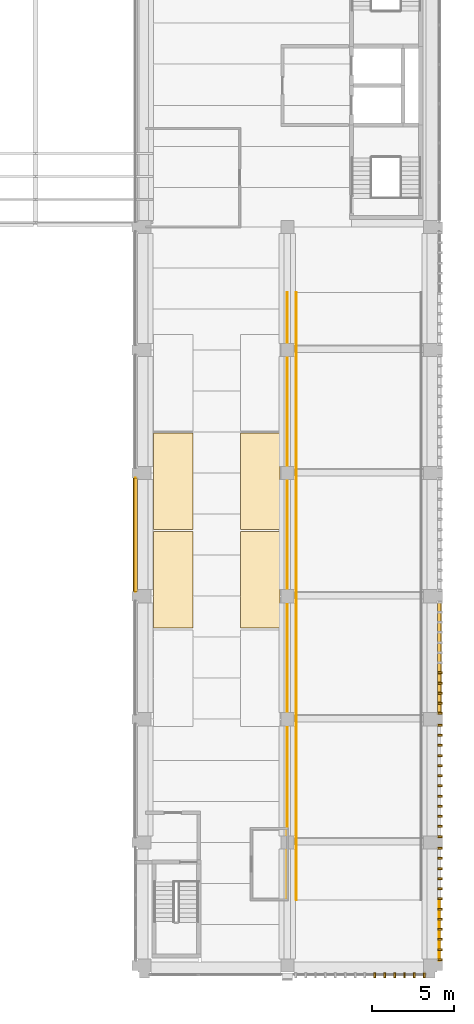
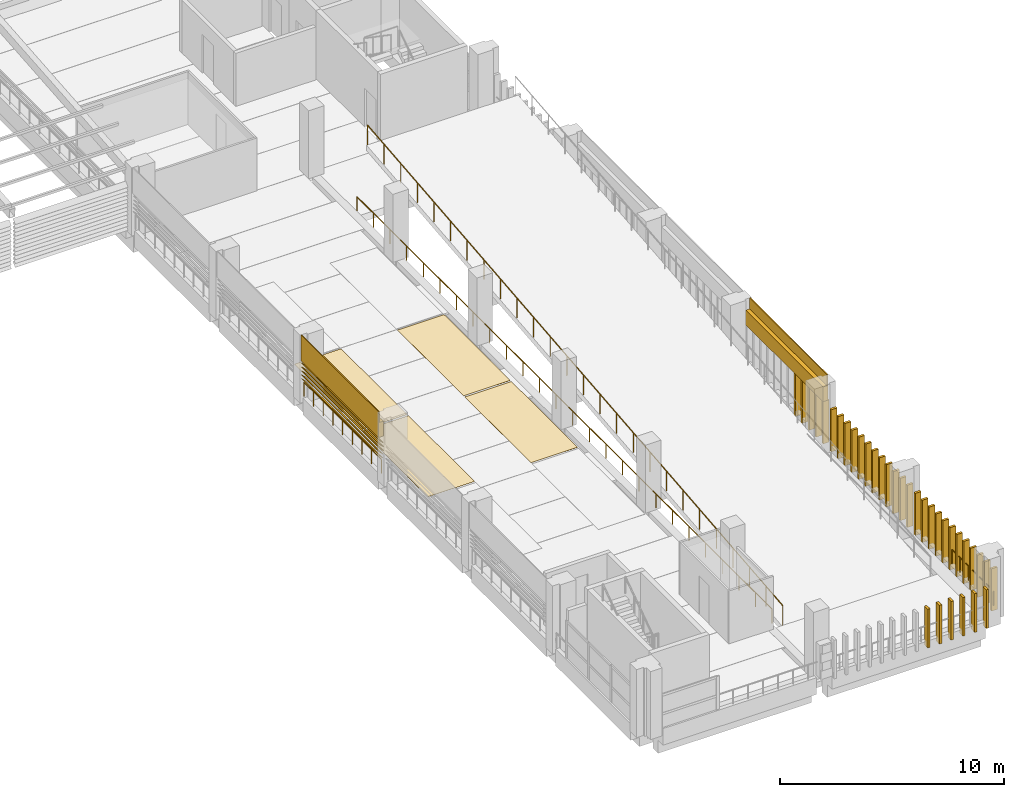
# One storey, part 47 of 52: 41 coverings, 5 shading devices, 4 railings.
"""IFC4 building model written with IfcOpenShell, lengths in metres."""

from ifc_helpers import new_model, si_unit, direction, frame, origin, origin_2d, place, context, subcontext, project, spatial, polyline, circle, outline, extrude, material, layer, layer_set, type_object, element, save


model = new_model("IFC4")

# Units and contexts
model_context = context("Model", 3, precision=1e-05, world=origin(), true_north=direction((0.0, 1.0)))
body_context = subcontext(model_context, "Body", "Model", "MODEL_VIEW")
ifc_project = project(units=[si_unit("LENGTHUNIT", "METRE"), si_unit("AREAUNIT", "SQUARE_METRE"), si_unit("VOLUMEUNIT", "CUBIC_METRE"), si_unit("PLANEANGLEUNIT", "RADIAN"), si_unit("MASSUNIT", "GRAM", prefix="KILO")], contexts=[model_context])

# Site, building, storey
site_placement = place(None, origin())
site = spatial("IfcSite", under=ifc_project, at=site_placement, CompositionType="ELEMENT")
building_placement = place(site_placement, origin())
building = spatial("IfcBuilding", under=site, at=building_placement, Name="Cour d'Honneur Mobility Palace", CompositionType="ELEMENT")
storey_placement = place(building_placement, frame((0.0, 0.0, 23.0)))
storey = spatial("IfcBuildingStorey", under=building, at=storey_placement, Name="L06", CompositionType="ELEMENT", Elevation=23.0)

# Railings
ifc_material_1 = material(Name="Painted steel", Category="steel")
railing_type_1 = type_object("IfcRailingType", Name="Balustrade", PredefinedType="BALUSTRADE", material=ifc_material_1)
railing_1_placement = place(storey_placement, frame((162.85009765625, 0.300048828125, 0.300048828125)))
element("IfcRailing", 1, at=railing_1_placement, inside=storey, type_object=railing_type_1, Name="Balustrade BAL-352", PredefinedType="BALUSTRADE", context=body_context, shape_type="SweptSolid", body=[
    extrude(circle(Radius=0.02392578125, at=origin_2d()), frame((0.0, 0.0, 0.77587890625), z_axis=(0.0, 1.0, 0.0), x_axis=(-1.0, 0.0, 0.0)), (0.0, 0.0, 1.0), 3.699951171875),
    extrude(circle(Radius=0.02099609375, at=origin_2d()), origin(), (0.0, 0.0, 1.0), 0.751953125),
    extrude(circle(Radius=0.02099609375, at=origin_2d()), frame((0.0, 0.739990234375, 0.0)), (0.0, 0.0, 1.0), 0.751953125),
    extrude(circle(Radius=0.02099609375, at=origin_2d()), frame((0.0, 1.47998046875, 0.0)), (0.0, 0.0, 1.0), 0.751953125),
    extrude(circle(Radius=0.02099609375, at=origin_2d()), frame((0.0, 2.219970703125, 0.0)), (0.0, 0.0, 1.0), 0.751953125),
    extrude(circle(Radius=0.02099609375, at=origin_2d()), frame((0.0, 2.9599609375, 0.0)), (0.0, 0.0, 1.0), 0.751953125),
    extrude(circle(Radius=0.02099609375, at=origin_2d()), frame((0.0, 3.699951171875, 0.0)), (0.0, 0.0, 1.0), 0.751953125),
])
railing_2_placement = place(storey_placement, frame((144.35009765625, 29.699951171875, 0.300048828125)))
element("IfcRailing", 2, at=railing_2_placement, inside=storey, type_object=railing_type_1, Name="Balustrade BAL-358", PredefinedType="BALUSTRADE", context=body_context, shape_type="SweptSolid", body=[
    extrude(circle(Radius=0.02392578125, at=origin_2d()), frame((0.0, 0.0, 0.77587890625), z_axis=(0.0, -1.0, 0.0), x_axis=(1.0, 0.0, 0.0)), (0.0, 0.0, 1.0), 6.89990234375),
    extrude(circle(Radius=0.02099609375, at=origin_2d()), origin(), (0.0, 0.0, 1.0), 0.751953125),
    extrude(circle(Radius=0.02099609375, at=origin_2d()), frame((0.0, -0.862548828125, 0.0)), (0.0, 0.0, 1.0), 0.751953125),
    extrude(circle(Radius=0.02099609375, at=origin_2d()), frame((0.0, -1.72509765625, 0.0)), (0.0, 0.0, 1.0), 0.751953125),
    extrude(circle(Radius=0.02099609375, at=origin_2d()), frame((0.0, -2.58740234375, 0.0)), (0.0, 0.0, 1.0), 0.751953125),
    extrude(circle(Radius=0.02099609375, at=origin_2d()), frame((0.0, -3.449951171875, 0.0)), (0.0, 0.0, 1.0), 0.751953125),
    extrude(circle(Radius=0.02099609375, at=origin_2d()), frame((0.0, -4.3125, 0.0)), (0.0, 0.0, 1.0), 0.751953125),
    extrude(circle(Radius=0.02099609375, at=origin_2d()), frame((0.0, -5.1748046875, 0.0)), (0.0, 0.0, 1.0), 0.751953125),
    extrude(circle(Radius=0.02099609375, at=origin_2d()), frame((0.0, -6.037353515625, 0.0)), (0.0, 0.0, 1.0), 0.751953125),
    extrude(circle(Radius=0.02099609375, at=origin_2d()), frame((0.0, -6.89990234375, 0.0)), (0.0, 0.0, 1.0), 0.751953125),
])

# Coverings
ifc_material_2 = material(Name="Parking marking paint")
ifc_layer_1 = layer(ifc_material_2, 0.0048828125)
ifc_layer_set_1 = layer_set([ifc_layer_1], Name="Parking marking paint")
covering_type_1 = type_object("IfcCoveringType", Name="Parking bay marking", PredefinedType="FLOORING", material=ifc_layer_set_1)
covering_1_placement = place(storey_placement, origin())
element("IfcCovering", 3, at=covering_1_placement, inside=storey, type_object=covering_type_1, Name="Parking bay marking L06 2", PredefinedType="FLOORING", context=body_context, shape_type="SweptSolid", body=[
    extrude(outline(polyline([(153.14990234375, 20.550048828125), (150.75, 20.550048828125), (150.75, 26.449951171875), (153.14990234375, 26.449951171875), (153.14990234375, 20.550048828125)])), origin(), (0.0, 0.0, 1.0), 0.0048828125),
])
covering_2_placement = place(storey_placement, origin())
element("IfcCovering", 4, at=covering_2_placement, inside=storey, type_object=covering_type_1, Name="Parking bay marking L06 3", PredefinedType="FLOORING", context=body_context, shape_type="SweptSolid", body=[
    extrude(outline(polyline([(153.14990234375, 26.550048828125), (150.75, 26.550048828125), (150.75, 32.449951171875), (153.14990234375, 32.449951171875), (153.14990234375, 26.550048828125)])), origin(), (0.0, 0.0, 1.0), 0.0048828125),
])
covering_3_placement = place(storey_placement, origin())
element("IfcCovering", 5, at=covering_3_placement, inside=storey, type_object=covering_type_1, Name="Parking bay marking L06 6", PredefinedType="FLOORING", context=body_context, shape_type="SweptSolid", body=[
    extrude(outline(polyline([(147.85009765625, 20.550048828125), (145.449951171875, 20.550048828125), (145.449951171875, 26.449951171875), (147.85009765625, 26.449951171875), (147.85009765625, 20.550048828125)])), origin(), (0.0, 0.0, 1.0), 0.0048828125),
])
covering_4_placement = place(storey_placement, origin())
element("IfcCovering", 6, at=covering_4_placement, inside=storey, type_object=covering_type_1, Name="Parking bay marking L06 7", PredefinedType="FLOORING", context=body_context, shape_type="SweptSolid", body=[
    extrude(outline(polyline([(147.85009765625, 26.550048828125), (145.449951171875, 26.550048828125), (145.449951171875, 32.449951171875), (147.85009765625, 32.449951171875), (147.85009765625, 26.550048828125)])), origin(), (0.0, 0.0, 1.0), 0.0048828125),
])

# Railing
ifc_material_3 = material(Name="Painted steel", Category="steel")
railing_type_2 = type_object("IfcRailingType", Name="Ramp guard 1100", PredefinedType="GUARDRAIL", material=ifc_material_3)
railing_3_placement = place(storey_placement, frame((154.14990234375, 4.0, 0.0)))
element("IfcRailing", 7, at=railing_3_placement, inside=storey, type_object=railing_type_2, Name="Ramp guard Ramp East 7", PredefinedType="GUARDRAIL", context=body_context, shape_type="SweptSolid", body=[
    extrude(circle(Radius=0.02490234375, at=origin_2d()), frame((0.0, 0.0, 1.0751953125), z_axis=(0.0, 0.995037320222, 0.099502418892), x_axis=(-1.0, 0.0, 0.0)), (0.0, 0.0, 1.0), 37.1845703125),
    extrude(circle(Radius=0.02099609375, at=origin_2d()), origin(), (0.0, 0.0, 1.0), 1.050048828125),
    extrude(circle(Radius=0.02099609375, at=origin_2d()), frame((0.0, 1.47998046875, 0.14794921875)), (0.0, 0.0, 1.0), 1.050048828125),
    extrude(circle(Radius=0.02099609375, at=origin_2d()), frame((0.0, 2.9599609375, 0.2958984375)), (0.0, 0.0, 1.0), 1.050048828125),
    extrude(circle(Radius=0.02099609375, at=origin_2d()), frame((0.0, 4.43994140625, 0.444091796875)), (0.0, 0.0, 1.0), 1.050048828125),
    extrude(circle(Radius=0.02099609375, at=origin_2d()), frame((0.0, 5.919921875, 0.592041015625)), (0.0, 0.0, 1.0), 1.050048828125),
    extrude(circle(Radius=0.02099609375, at=origin_2d()), frame((0.0, 7.39990234375, 0.739990234375)), (0.0, 0.0, 1.0), 1.050048828125),
    extrude(circle(Radius=0.02099609375, at=origin_2d()), frame((0.0, 8.8798828125, 0.887939453125)), (0.0, 0.0, 1.0), 1.050048828125),
    extrude(circle(Radius=0.02099609375, at=origin_2d()), frame((0.0, 10.360107421875, 1.035888671875)), (0.0, 0.0, 1.0), 1.050048828125),
    extrude(circle(Radius=0.02099609375, at=origin_2d()), frame((0.0, 11.840087890625, 1.18408203125)), (0.0, 0.0, 1.0), 1.050048828125),
    extrude(circle(Radius=0.02099609375, at=origin_2d()), frame((0.0, 13.320068359375, 1.33203125)), (0.0, 0.0, 1.0), 1.050048828125),
    extrude(circle(Radius=0.02099609375, at=origin_2d()), frame((0.0, 14.800048828125, 1.47998046875)), (0.0, 0.0, 1.0), 1.050048828125),
    extrude(circle(Radius=0.02099609375, at=origin_2d()), frame((0.0, 16.280029296875, 1.6279296875)), (0.0, 0.0, 1.0), 1.050048828125),
    extrude(circle(Radius=0.02099609375, at=origin_2d()), frame((0.0, 17.760009765625, 1.77587890625)), (0.0, 0.0, 1.0), 1.050048828125),
    extrude(circle(Radius=0.02099609375, at=origin_2d()), frame((0.0, 19.239990234375, 1.924072265625)), (0.0, 0.0, 1.0), 1.050048828125),
    extrude(circle(Radius=0.02099609375, at=origin_2d()), frame((0.0, 20.719970703125, 2.072021484375)), (0.0, 0.0, 1.0), 1.050048828125),
    extrude(circle(Radius=0.02099609375, at=origin_2d()), frame((0.0, 22.199951171875, 2.219970703125)), (0.0, 0.0, 1.0), 1.050048828125),
    extrude(circle(Radius=0.02099609375, at=origin_2d()), frame((0.0, 23.679931640625, 2.367919921875)), (0.0, 0.0, 1.0), 1.050048828125),
    extrude(circle(Radius=0.02099609375, at=origin_2d()), frame((0.0, 25.159912109375, 2.515869140625)), (0.0, 0.0, 1.0), 1.050048828125),
    extrude(circle(Radius=0.02099609375, at=origin_2d()), frame((0.0, 26.639892578125, 2.6640625)), (0.0, 0.0, 1.0), 1.050048828125),
    extrude(circle(Radius=0.02099609375, at=origin_2d()), frame((0.0, 28.1201171875, 2.81201171875)), (0.0, 0.0, 1.0), 1.050048828125),
    extrude(circle(Radius=0.02099609375, at=origin_2d()), frame((0.0, 29.60009765625, 2.9599609375)), (0.0, 0.0, 1.0), 1.050048828125),
    extrude(circle(Radius=0.02099609375, at=origin_2d()), frame((0.0, 31.080078125, 3.10791015625)), (0.0, 0.0, 1.0), 1.050048828125),
    extrude(circle(Radius=0.02099609375, at=origin_2d()), frame((0.0, 32.56005859375, 3.255859375)), (0.0, 0.0, 1.0), 1.050048828125),
    extrude(circle(Radius=0.02099609375, at=origin_2d()), frame((0.0, 34.0400390625, 3.404052734375)), (0.0, 0.0, 1.0), 1.050048828125),
    extrude(circle(Radius=0.02099609375, at=origin_2d()), frame((0.0, 35.52001953125, 3.552001953125)), (0.0, 0.0, 1.0), 1.050048828125),
    extrude(circle(Radius=0.02099609375, at=origin_2d()), frame((0.0, 37.0, 3.699951171875)), (0.0, 0.0, 1.0), 1.050048828125),
])

# Coverings
ifc_material_4 = material(Name="Cast limestone", Category="masonry")
ifc_layer_2 = layer(ifc_material_4, 0.1201171875)
ifc_layer_set_2 = layer_set([ifc_layer_2], Name="Cast limestone")
covering_type_2 = type_object("IfcCoveringType", Name="Ramp screen fin", PredefinedType="CLADDING", material=ifc_layer_set_2)
covering_5_placement = place(storey_placement, origin())
element("IfcCovering", 8, at=covering_5_placement, inside=storey, type_object=covering_type_2, Name="Ramp screen fin S4.1 L06 9", PredefinedType="CLADDING", context=body_context, shape_type="SweptSolid", body=[
    extrude(outline(polyline([(158.868408203125, -0.449951171875), (158.988525390625, -0.449951171875), (158.988525390625, -0.75), (158.868408203125, -0.75), (158.868408203125, -0.449951171875)])), origin(), (0.0, 0.0, 1.0), 2.10009765625),
])
covering_6_placement = place(storey_placement, origin())
element("IfcCovering", 9, at=covering_6_placement, inside=storey, type_object=covering_type_2, Name="Ramp screen fin S4.1 L06 10", PredefinedType="CLADDING", context=body_context, shape_type="SweptSolid", body=[
    extrude(outline(polyline([(159.470703125, -0.449951171875), (159.5908203125, -0.449951171875), (159.5908203125, -0.75), (159.470703125, -0.75), (159.470703125, -0.449951171875)])), origin(), (0.0, 0.0, 1.0), 2.10009765625),
])
covering_7_placement = place(storey_placement, origin())
element("IfcCovering", 10, at=covering_7_placement, inside=storey, type_object=covering_type_2, Name="Ramp screen fin S4.1 L06 11", PredefinedType="CLADDING", context=body_context, shape_type="SweptSolid", body=[
    extrude(outline(polyline([(160.072998046875, -0.449951171875), (160.193115234375, -0.449951171875), (160.193115234375, -0.75), (160.072998046875, -0.75), (160.072998046875, -0.449951171875)])), origin(), (0.0, 0.0, 1.0), 2.10009765625),
])
covering_8_placement = place(storey_placement, origin())
element("IfcCovering", 11, at=covering_8_placement, inside=storey, type_object=covering_type_2, Name="Ramp screen fin S4.1 L06 12", PredefinedType="CLADDING", context=body_context, shape_type="SweptSolid", body=[
    extrude(outline(polyline([(160.67529296875, -0.449951171875), (160.79541015625, -0.449951171875), (160.79541015625, -0.75), (160.67529296875, -0.75), (160.67529296875, -0.449951171875)])), origin(), (0.0, 0.0, 1.0), 2.10009765625),
])
covering_9_placement = place(storey_placement, origin())
element("IfcCovering", 12, at=covering_9_placement, inside=storey, type_object=covering_type_2, Name="Ramp screen fin S4.1 L06 13", PredefinedType="CLADDING", context=body_context, shape_type="SweptSolid", body=[
    extrude(outline(polyline([(161.277587890625, -0.449951171875), (161.397705078125, -0.449951171875), (161.397705078125, -0.75), (161.277587890625, -0.75), (161.277587890625, -0.449951171875)])), origin(), (0.0, 0.0, 1.0), 2.10009765625),
])
covering_10_placement = place(storey_placement, origin())
element("IfcCovering", 13, at=covering_10_placement, inside=storey, type_object=covering_type_2, Name="Ramp screen fin S4.1 L06 14", PredefinedType="CLADDING", context=body_context, shape_type="SweptSolid", body=[
    extrude(outline(polyline([(161.8798828125, -0.449951171875), (162.0, -0.449951171875), (162.0, -0.75), (161.8798828125, -0.75), (161.8798828125, -0.449951171875)])), origin(), (0.0, 0.0, 1.0), 2.10009765625),
])
covering_11_placement = place(storey_placement, origin())
element("IfcCovering", 14, at=covering_11_placement, inside=storey, type_object=covering_type_2, Name="Ramp screen fin E5.0 L06 1", PredefinedType="CLADDING", context=body_context, shape_type="SweptSolid", body=[
    extrude(outline(polyline([(162.75, 0.300048828125), (162.75, 0.419921875), (163.050048828125, 0.419921875), (163.050048828125, 0.300048828125), (162.75, 0.300048828125)])), origin(), (0.0, 0.0, 1.0), 2.300048828125),
])
covering_12_placement = place(storey_placement, origin())
element("IfcCovering", 15, at=covering_12_placement, inside=storey, type_object=covering_type_2, Name="Ramp screen fin E5.0 L06 2", PredefinedType="CLADDING", context=body_context, shape_type="SweptSolid", body=[
    extrude(outline(polyline([(162.75, 0.916259765625), (162.75, 1.036376953125), (163.050048828125, 1.036376953125), (163.050048828125, 0.916259765625), (162.75, 0.916259765625)])), origin(), (0.0, 0.0, 1.0), 2.300048828125),
])
covering_13_placement = place(storey_placement, origin())
element("IfcCovering", 16, at=covering_13_placement, inside=storey, type_object=covering_type_2, Name="Ramp screen fin E5.0 L06 3", PredefinedType="CLADDING", context=body_context, shape_type="SweptSolid", body=[
    extrude(outline(polyline([(162.75, 1.53271484375), (162.75, 1.65283203125), (163.050048828125, 1.65283203125), (163.050048828125, 1.53271484375), (162.75, 1.53271484375)])), origin(), (0.0, 0.0, 1.0), 2.300048828125),
])
covering_14_placement = place(storey_placement, origin())
element("IfcCovering", 17, at=covering_14_placement, inside=storey, type_object=covering_type_2, Name="Ramp screen fin E5.0 L06 4", PredefinedType="CLADDING", context=body_context, shape_type="SweptSolid", body=[
    extrude(outline(polyline([(162.75, 2.149169921875), (162.75, 2.26904296875), (163.050048828125, 2.26904296875), (163.050048828125, 2.149169921875), (162.75, 2.149169921875)])), origin(), (0.0, 0.0, 1.0), 2.300048828125),
])
covering_15_placement = place(storey_placement, origin())
element("IfcCovering", 18, at=covering_15_placement, inside=storey, type_object=covering_type_2, Name="Ramp screen fin E5.0 L06 5", PredefinedType="CLADDING", context=body_context, shape_type="SweptSolid", body=[
    extrude(outline(polyline([(162.75, 2.765380859375), (162.75, 2.885498046875), (163.050048828125, 2.885498046875), (163.050048828125, 2.765380859375), (162.75, 2.765380859375)])), origin(), (0.0, 0.0, 1.0), 2.300048828125),
])
covering_16_placement = place(storey_placement, origin())
element("IfcCovering", 19, at=covering_16_placement, inside=storey, type_object=covering_type_2, Name="Ramp screen fin E5.0 L06 6", PredefinedType="CLADDING", context=body_context, shape_type="SweptSolid", body=[
    extrude(outline(polyline([(162.75, 3.3818359375), (162.75, 3.501708984375), (163.050048828125, 3.501708984375), (163.050048828125, 3.3818359375), (162.75, 3.3818359375)])), origin(), (0.0, 0.0, 1.0), 2.300048828125),
])
covering_17_placement = place(storey_placement, origin())
element("IfcCovering", 20, at=covering_17_placement, inside=storey, type_object=covering_type_2, Name="Ramp screen fin E5.0 L06 7", PredefinedType="CLADDING", context=body_context, shape_type="SweptSolid", body=[
    extrude(outline(polyline([(162.75, 3.998291015625), (162.75, 4.1181640625), (163.050048828125, 4.1181640625), (163.050048828125, 3.998291015625), (162.75, 3.998291015625)])), origin(), (0.0, 0.0, 1.0), 2.300048828125),
])
covering_18_placement = place(storey_placement, origin())
element("IfcCovering", 21, at=covering_18_placement, inside=storey, type_object=covering_type_2, Name="Ramp screen fin E5.0 L06 8", PredefinedType="CLADDING", context=body_context, shape_type="SweptSolid", body=[
    extrude(outline(polyline([(162.75, 4.614501953125), (162.75, 4.734619140625), (163.050048828125, 4.734619140625), (163.050048828125, 4.614501953125), (162.75, 4.614501953125)])), origin(), (0.0, 0.0, 1.0), 2.300048828125),
])
covering_19_placement = place(storey_placement, origin())
element("IfcCovering", 22, at=covering_19_placement, inside=storey, type_object=covering_type_2, Name="Ramp screen fin E5.0 L06 9", PredefinedType="CLADDING", context=body_context, shape_type="SweptSolid", body=[
    extrude(outline(polyline([(162.75, 5.23095703125), (162.75, 5.350830078125), (163.050048828125, 5.350830078125), (163.050048828125, 5.23095703125), (162.75, 5.23095703125)])), origin(), (0.0, 0.0, 1.0), 2.300048828125),
])
covering_20_placement = place(storey_placement, origin())
element("IfcCovering", 23, at=covering_20_placement, inside=storey, type_object=covering_type_2, Name="Ramp screen fin E5.0 L06 10", PredefinedType="CLADDING", context=body_context, shape_type="SweptSolid", body=[
    extrude(outline(polyline([(162.75, 5.84716796875), (162.75, 5.96728515625), (163.050048828125, 5.96728515625), (163.050048828125, 5.84716796875), (162.75, 5.84716796875)])), origin(), (0.0, 0.0, 1.0), 2.300048828125),
])
covering_21_placement = place(storey_placement, origin())
element("IfcCovering", 24, at=covering_21_placement, inside=storey, type_object=covering_type_2, Name="Ramp screen fin E5.0 L06 11", PredefinedType="CLADDING", context=body_context, shape_type="SweptSolid", body=[
    extrude(outline(polyline([(162.75, 6.463623046875), (162.75, 6.583740234375), (163.050048828125, 6.583740234375), (163.050048828125, 6.463623046875), (162.75, 6.463623046875)])), origin(), (0.0, 0.0, 1.0), 2.300048828125),
])
covering_22_placement = place(storey_placement, origin())
element("IfcCovering", 25, at=covering_22_placement, inside=storey, type_object=covering_type_2, Name="Ramp screen fin E5.0 L06 12", PredefinedType="CLADDING", context=body_context, shape_type="SweptSolid", body=[
    extrude(outline(polyline([(162.75, 7.080078125), (162.75, 7.199951171875), (163.050048828125, 7.199951171875), (163.050048828125, 7.080078125), (162.75, 7.080078125)])), origin(), (0.0, 0.0, 1.0), 2.300048828125),
])
covering_23_placement = place(storey_placement, origin())
element("IfcCovering", 26, at=covering_23_placement, inside=storey, type_object=covering_type_2, Name="Ramp screen fin E5.1 L06 1", PredefinedType="CLADDING", context=body_context, shape_type="SweptSolid", body=[
    extrude(outline(polyline([(162.75, 7.800048828125), (162.75, 7.919921875), (163.050048828125, 7.919921875), (163.050048828125, 7.800048828125), (162.75, 7.800048828125)])), origin(), (0.0, 0.0, 1.0), 2.300048828125),
])
covering_24_placement = place(storey_placement, origin())
element("IfcCovering", 27, at=covering_24_placement, inside=storey, type_object=covering_type_2, Name="Ramp screen fin E5.1 L06 2", PredefinedType="CLADDING", context=body_context, shape_type="SweptSolid", body=[
    extrude(outline(polyline([(162.75, 8.416259765625), (162.75, 8.536376953125), (163.050048828125, 8.536376953125), (163.050048828125, 8.416259765625), (162.75, 8.416259765625)])), origin(), (0.0, 0.0, 1.0), 2.300048828125),
])
covering_25_placement = place(storey_placement, origin())
element("IfcCovering", 28, at=covering_25_placement, inside=storey, type_object=covering_type_2, Name="Ramp screen fin E5.1 L06 3", PredefinedType="CLADDING", context=body_context, shape_type="SweptSolid", body=[
    extrude(outline(polyline([(162.75, 9.03271484375), (162.75, 9.15283203125), (163.050048828125, 9.15283203125), (163.050048828125, 9.03271484375), (162.75, 9.03271484375)])), origin(), (0.0, 0.0, 1.0), 2.300048828125),
])
covering_26_placement = place(storey_placement, origin())
element("IfcCovering", 29, at=covering_26_placement, inside=storey, type_object=covering_type_2, Name="Ramp screen fin E5.1 L06 4", PredefinedType="CLADDING", context=body_context, shape_type="SweptSolid", body=[
    extrude(outline(polyline([(162.75, 9.649169921875), (162.75, 9.76904296875), (163.050048828125, 9.76904296875), (163.050048828125, 9.649169921875), (162.75, 9.649169921875)])), origin(), (0.0, 0.0, 1.0), 2.300048828125),
])
covering_27_placement = place(storey_placement, origin())
element("IfcCovering", 30, at=covering_27_placement, inside=storey, type_object=covering_type_2, Name="Ramp screen fin E5.1 L06 5", PredefinedType="CLADDING", context=body_context, shape_type="SweptSolid", body=[
    extrude(outline(polyline([(162.75, 10.265380859375), (162.75, 10.385498046875), (163.050048828125, 10.385498046875), (163.050048828125, 10.265380859375), (162.75, 10.265380859375)])), origin(), (0.0, 0.0, 1.0), 2.300048828125),
])
covering_28_placement = place(storey_placement, origin())
element("IfcCovering", 31, at=covering_28_placement, inside=storey, type_object=covering_type_2, Name="Ramp screen fin E5.1 L06 6", PredefinedType="CLADDING", context=body_context, shape_type="SweptSolid", body=[
    extrude(outline(polyline([(162.75, 10.8818359375), (162.75, 11.001708984375), (163.050048828125, 11.001708984375), (163.050048828125, 10.8818359375), (162.75, 10.8818359375)])), origin(), (0.0, 0.0, 1.0), 2.300048828125),
])
covering_29_placement = place(storey_placement, origin())
element("IfcCovering", 32, at=covering_29_placement, inside=storey, type_object=covering_type_2, Name="Ramp screen fin E5.1 L06 7", PredefinedType="CLADDING", context=body_context, shape_type="SweptSolid", body=[
    extrude(outline(polyline([(162.75, 11.498291015625), (162.75, 11.6181640625), (163.050048828125, 11.6181640625), (163.050048828125, 11.498291015625), (162.75, 11.498291015625)])), origin(), (0.0, 0.0, 1.0), 2.300048828125),
])
covering_30_placement = place(storey_placement, origin())
element("IfcCovering", 33, at=covering_30_placement, inside=storey, type_object=covering_type_2, Name="Ramp screen fin E5.1 L06 8", PredefinedType="CLADDING", context=body_context, shape_type="SweptSolid", body=[
    extrude(outline(polyline([(162.75, 12.114501953125), (162.75, 12.234619140625), (163.050048828125, 12.234619140625), (163.050048828125, 12.114501953125), (162.75, 12.114501953125)])), origin(), (0.0, 0.0, 1.0), 2.300048828125),
])
covering_31_placement = place(storey_placement, origin())
element("IfcCovering", 34, at=covering_31_placement, inside=storey, type_object=covering_type_2, Name="Ramp screen fin E5.1 L06 9", PredefinedType="CLADDING", context=body_context, shape_type="SweptSolid", body=[
    extrude(outline(polyline([(162.75, 12.73095703125), (162.75, 12.850830078125), (163.050048828125, 12.850830078125), (163.050048828125, 12.73095703125), (162.75, 12.73095703125)])), origin(), (0.0, 0.0, 1.0), 2.300048828125),
])
covering_32_placement = place(storey_placement, origin())
element("IfcCovering", 35, at=covering_32_placement, inside=storey, type_object=covering_type_2, Name="Ramp screen fin E5.1 L06 10", PredefinedType="CLADDING", context=body_context, shape_type="SweptSolid", body=[
    extrude(outline(polyline([(162.75, 13.34716796875), (162.75, 13.46728515625), (163.050048828125, 13.46728515625), (163.050048828125, 13.34716796875), (162.75, 13.34716796875)])), origin(), (0.0, 0.0, 1.0), 2.300048828125),
])
covering_33_placement = place(storey_placement, origin())
element("IfcCovering", 36, at=covering_33_placement, inside=storey, type_object=covering_type_2, Name="Ramp screen fin E5.1 L06 11", PredefinedType="CLADDING", context=body_context, shape_type="SweptSolid", body=[
    extrude(outline(polyline([(162.75, 13.963623046875), (162.75, 14.083740234375), (163.050048828125, 14.083740234375), (163.050048828125, 13.963623046875), (162.75, 13.963623046875)])), origin(), (0.0, 0.0, 1.0), 2.300048828125),
])
covering_34_placement = place(storey_placement, origin())
element("IfcCovering", 37, at=covering_34_placement, inside=storey, type_object=covering_type_2, Name="Ramp screen fin E5.1 L06 12", PredefinedType="CLADDING", context=body_context, shape_type="SweptSolid", body=[
    extrude(outline(polyline([(162.75, 14.580078125), (162.75, 14.699951171875), (163.050048828125, 14.699951171875), (163.050048828125, 14.580078125), (162.75, 14.580078125)])), origin(), (0.0, 0.0, 1.0), 2.300048828125),
])
covering_35_placement = place(storey_placement, origin())
element("IfcCovering", 38, at=covering_35_placement, inside=storey, type_object=covering_type_2, Name="Ramp screen fin E5.2 L06 1", PredefinedType="CLADDING", context=body_context, shape_type="SweptSolid", body=[
    extrude(outline(polyline([(162.75, 15.300048828125), (162.75, 15.419921875), (163.050048828125, 15.419921875), (163.050048828125, 15.300048828125), (162.75, 15.300048828125)])), origin(), (0.0, 0.0, 1.0), 2.300048828125),
])
covering_36_placement = place(storey_placement, origin())
element("IfcCovering", 39, at=covering_36_placement, inside=storey, type_object=covering_type_2, Name="Ramp screen fin E5.2 L06 2", PredefinedType="CLADDING", context=body_context, shape_type="SweptSolid", body=[
    extrude(outline(polyline([(162.75, 15.916259765625), (162.75, 16.036376953125), (163.050048828125, 16.036376953125), (163.050048828125, 15.916259765625), (162.75, 15.916259765625)])), origin(), (0.0, 0.0, 1.0), 2.300048828125),
])
covering_37_placement = place(storey_placement, origin())
element("IfcCovering", 40, at=covering_37_placement, inside=storey, type_object=covering_type_2, Name="Ramp screen fin E5.2 L06 3", PredefinedType="CLADDING", context=body_context, shape_type="SweptSolid", body=[
    extrude(outline(polyline([(162.75, 16.53271484375), (162.75, 16.65283203125), (163.050048828125, 16.65283203125), (163.050048828125, 16.53271484375), (162.75, 16.53271484375)])), origin(), (0.0, 0.0, 1.0), 2.300048828125),
])
covering_38_placement = place(storey_placement, origin())
element("IfcCovering", 41, at=covering_38_placement, inside=storey, type_object=covering_type_2, Name="Ramp screen fin E5.2 L06 4", PredefinedType="CLADDING", context=body_context, shape_type="SweptSolid", body=[
    extrude(outline(polyline([(162.75, 17.149169921875), (162.75, 17.26904296875), (163.050048828125, 17.26904296875), (163.050048828125, 17.149169921875), (162.75, 17.149169921875)])), origin(), (0.0, 0.0, 1.0), 2.300048828125),
])
covering_39_placement = place(storey_placement, origin())
element("IfcCovering", 42, at=covering_39_placement, inside=storey, type_object=covering_type_2, Name="Ramp screen fin E5.2 L06 5", PredefinedType="CLADDING", context=body_context, shape_type="SweptSolid", body=[
    extrude(outline(polyline([(162.75, 17.765380859375), (162.75, 17.885498046875), (163.050048828125, 17.885498046875), (163.050048828125, 17.765380859375), (162.75, 17.765380859375)])), origin(), (0.0, 0.0, 1.0), 2.300048828125),
])
ifc_material_5 = material(Name="Cast limestone", Category="masonry")
ifc_layer_3 = layer(ifc_material_5, 0.25)
ifc_layer_set_3 = layer_set([ifc_layer_3], Name="Cast limestone")
covering_type_3 = type_object("IfcCoveringType", Name="Spandrel cladding", PredefinedType="CLADDING", material=ifc_layer_set_3)
for number, where, z_axis, x_axis, name in (
    (43, (162.75, 15.300048828125, 2.300048828125), (0.0, -1.0, 0.0), (1.0, 0.0, 0.0), "Spandrel cladding SK-368"),
    (44, (144.449951171875, 29.699951171875, 2.300048828125), (0.0, 1.0, 0.0), (-1.0, 0.0, 0.0), "Spandrel cladding SK-373"),
):
    element("IfcCovering", number, at=place(storey_placement, frame(where, z_axis=z_axis, x_axis=x_axis)), inside=storey, type_object=covering_type_3, Name=name, PredefinedType="CLADDING", context=body_context, shape_type="SweptSolid", body=[
        extrude(outline(polyline([(0.0, 0.0), (0.25, 0.0), (0.25, 1.39990234375), (0.199951171875, 1.39990234375), (0.199951171875, 0.800048828125), (0.0, 0.800048828125), (0.0, 0.0)])), origin(), (0.0, 0.0, -1.0), 6.89990234375),
    ])

# Shading devices
ifc_material_6 = material(Name="Terracotta", Category="masonry")
ifc_layer_4 = layer(ifc_material_6, 0.02490234375)
ifc_layer_set_4 = layer_set([ifc_layer_4], Name="Terracotta")
shading_device_type = type_object("IfcShadingDeviceType", Name="Terracotta louvre blade", PredefinedType="JALOUSIE", material=ifc_layer_set_4)
shading_device_placement = place(storey_placement, frame((144.4560546875, 29.699951171875, 1.10009765625), z_axis=(0.706699578995, 0.0, 0.707513749017), x_axis=(0.0, -1.0, 0.0)))
element("IfcShadingDevice", 45, at=shading_device_placement, inside=storey, type_object=shading_device_type, Name="Louvre blade LV-1 W7.3 L06 1", PredefinedType="JALOUSIE", context=body_context, shape_type="SweptSolid", body=[
    extrude(outline(polyline([(0.0, 0.0), (6.89990234375, 0.0), (6.89990234375, -0.29986442442957895), (0.0, -0.29986442442957895), (0.0, 0.0)])), origin(), (0.0, 0.0, -1.0), 0.02490234375),
])
for number, where, z_axis, x_axis, name in (
    (46, (144.4560546875, 29.699951171875, 1.31201171875), (0.707106781187, 0.0, 0.707106781187), (0.0, -1.0, 0.0), "Louvre blade LV-1 W7.3 L06 2"),
    (47, (144.4560546875, 29.699951171875, 1.524169921875), (0.707106781187, 0.0, 0.707106781187), (0.0, -1.0, 0.0), "Louvre blade LV-1 W7.3 L06 3"),
    (48, (144.4560546875, 29.699951171875, 1.736328125), (0.707106781187, 0.0, 0.707106781187), (0.0, -1.0, 0.0), "Louvre blade LV-1 W7.3 L06 4"),
    (49, (144.4560546875, 29.699951171875, 1.948486328125), (0.707106781187, 0.0, 0.707106781187), (0.0, -1.0, 0.0), "Louvre blade LV-1 W7.3 L06 5"),
):
    element("IfcShadingDevice", number, at=place(storey_placement, frame(where, z_axis=z_axis, x_axis=x_axis)), inside=storey, type_object=shading_device_type, Name=name, PredefinedType="JALOUSIE", context=body_context, shape_type="SweptSolid", body=[
        extrude(outline(polyline([(0.0, 0.0), (6.89990234375, 0.0), (6.89990234375, -0.300037008228081), (0.0, -0.300037008228081), (0.0, 0.0)])), origin(), (0.0, 0.0, -1.0), 0.02490234375),
    ])

# Railing
ifc_material_7 = material(Name="Painted steel", Category="steel")
railing_type_3 = type_object("IfcRailingType", Name="Void edge guard 1100", PredefinedType="GUARDRAIL", material=ifc_material_7)
railing_4_placement = place(storey_placement, frame((153.60009765625, 4.0, 0.300048828125)))
element("IfcRailing", 50, at=railing_4_placement, inside=storey, type_object=railing_type_3, Name="Void edge guard SE L06", PredefinedType="GUARDRAIL", context=body_context, shape_type="SweptSolid", body=[
    extrude(circle(Radius=0.02490234375, at=origin_2d()), frame((0.0, 0.0, 0.77490234375), z_axis=(0.0, 1.0, 0.0), x_axis=(-1.0, 0.0, 0.0)), (0.0, 0.0, 1.0), 37.0),
    extrude(circle(Radius=0.02099609375, at=origin_2d()), origin(), (0.0, 0.0, 1.0), 0.75),
    extrude(circle(Radius=0.02099609375, at=origin_2d()), frame((0.0, 1.47998046875, 0.0)), (0.0, 0.0, 1.0), 0.75),
    extrude(circle(Radius=0.02099609375, at=origin_2d()), frame((0.0, 2.9599609375, 0.0)), (0.0, 0.0, 1.0), 0.75),
    extrude(circle(Radius=0.02099609375, at=origin_2d()), frame((0.0, 4.43994140625, 0.0)), (0.0, 0.0, 1.0), 0.75),
    extrude(circle(Radius=0.02099609375, at=origin_2d()), frame((0.0, 5.919921875, 0.0)), (0.0, 0.0, 1.0), 0.75),
    extrude(circle(Radius=0.02099609375, at=origin_2d()), frame((0.0, 7.39990234375, 0.0)), (0.0, 0.0, 1.0), 0.75),
    extrude(circle(Radius=0.02099609375, at=origin_2d()), frame((0.0, 8.8798828125, 0.0)), (0.0, 0.0, 1.0), 0.75),
    extrude(circle(Radius=0.02099609375, at=origin_2d()), frame((0.0, 10.360107421875, 0.0)), (0.0, 0.0, 1.0), 0.75),
    extrude(circle(Radius=0.02099609375, at=origin_2d()), frame((0.0, 11.840087890625, 0.0)), (0.0, 0.0, 1.0), 0.75),
    extrude(circle(Radius=0.02099609375, at=origin_2d()), frame((0.0, 13.320068359375, 0.0)), (0.0, 0.0, 1.0), 0.75),
    extrude(circle(Radius=0.02099609375, at=origin_2d()), frame((0.0, 14.800048828125, 0.0)), (0.0, 0.0, 1.0), 0.75),
    extrude(circle(Radius=0.02099609375, at=origin_2d()), frame((0.0, 16.280029296875, 0.0)), (0.0, 0.0, 1.0), 0.75),
    extrude(circle(Radius=0.02099609375, at=origin_2d()), frame((0.0, 17.760009765625, 0.0)), (0.0, 0.0, 1.0), 0.75),
    extrude(circle(Radius=0.02099609375, at=origin_2d()), frame((0.0, 19.239990234375, 0.0)), (0.0, 0.0, 1.0), 0.75),
    extrude(circle(Radius=0.02099609375, at=origin_2d()), frame((0.0, 20.719970703125, 0.0)), (0.0, 0.0, 1.0), 0.75),
    extrude(circle(Radius=0.02099609375, at=origin_2d()), frame((0.0, 22.199951171875, 0.0)), (0.0, 0.0, 1.0), 0.75),
    extrude(circle(Radius=0.02099609375, at=origin_2d()), frame((0.0, 23.679931640625, 0.0)), (0.0, 0.0, 1.0), 0.75),
    extrude(circle(Radius=0.02099609375, at=origin_2d()), frame((0.0, 25.159912109375, 0.0)), (0.0, 0.0, 1.0), 0.75),
    extrude(circle(Radius=0.02099609375, at=origin_2d()), frame((0.0, 26.639892578125, 0.0)), (0.0, 0.0, 1.0), 0.75),
    extrude(circle(Radius=0.02099609375, at=origin_2d()), frame((0.0, 28.1201171875, 0.0)), (0.0, 0.0, 1.0), 0.75),
    extrude(circle(Radius=0.02099609375, at=origin_2d()), frame((0.0, 29.60009765625, 0.0)), (0.0, 0.0, 1.0), 0.75),
    extrude(circle(Radius=0.02099609375, at=origin_2d()), frame((0.0, 31.080078125, 0.0)), (0.0, 0.0, 1.0), 0.75),
    extrude(circle(Radius=0.02099609375, at=origin_2d()), frame((0.0, 32.56005859375, 0.0)), (0.0, 0.0, 1.0), 0.75),
    extrude(circle(Radius=0.02099609375, at=origin_2d()), frame((0.0, 34.0400390625, 0.0)), (0.0, 0.0, 1.0), 0.75),
    extrude(circle(Radius=0.02099609375, at=origin_2d()), frame((0.0, 35.52001953125, 0.0)), (0.0, 0.0, 1.0), 0.75),
    extrude(circle(Radius=0.02099609375, at=origin_2d()), frame((0.0, 37.0, 0.0)), (0.0, 0.0, 1.0), 0.75),
])

save(model, "model.ifc")
